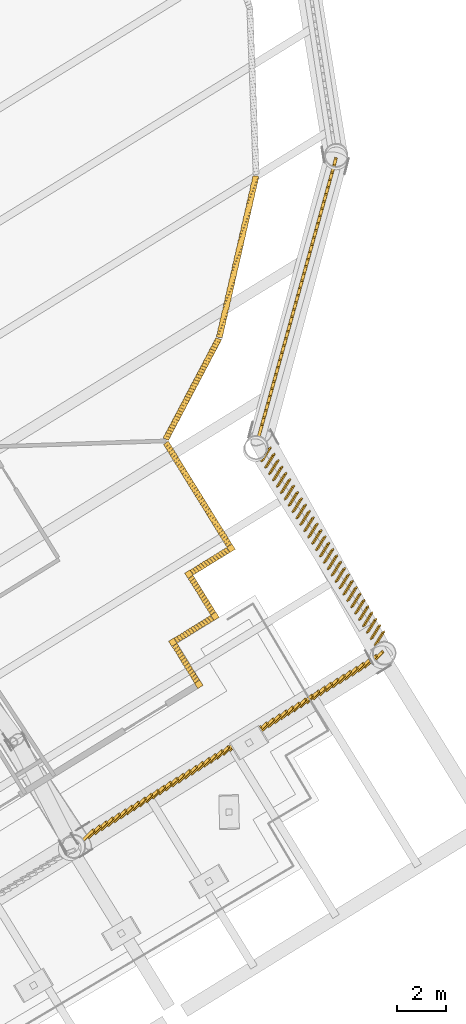
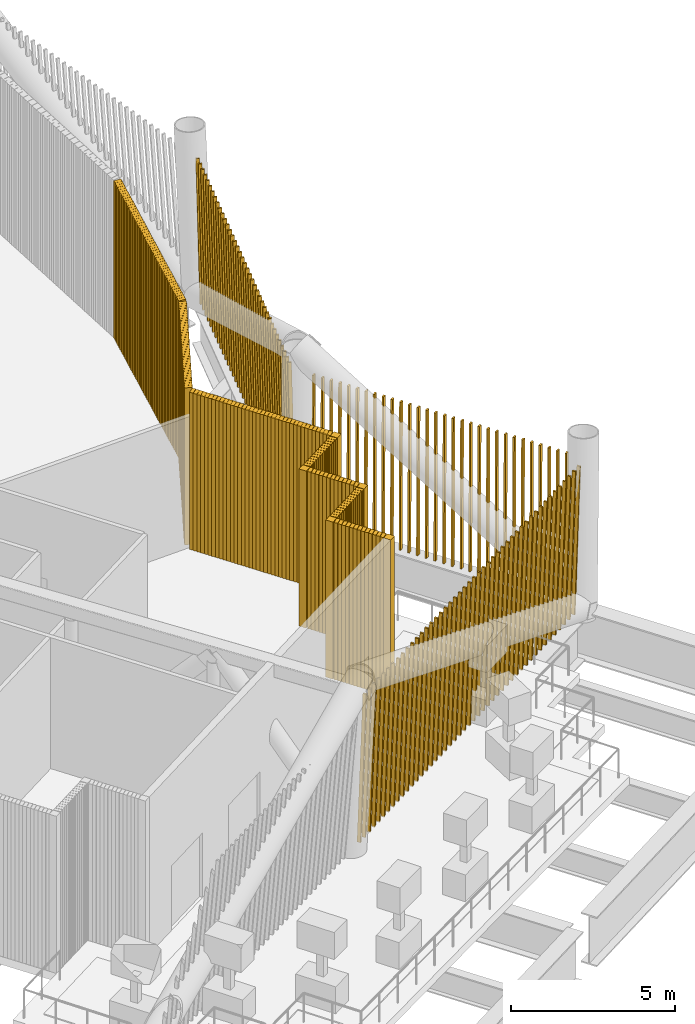
# One storey, part 37 of 40: 15 shading devices.
"""IFC4 building model written with IfcOpenShell, lengths in metres."""

from ifc_helpers import new_model, si_unit, direction, frame, frame_2d, origin, origin_2d, place, context, subcontext, project, spatial, rectangle, composite_profile, extrude, material, type_object, element, save


model = new_model("IFC4")

# Units and contexts
model_context = context("Model", 3, precision=1e-05, world=origin(), true_north=direction((0.0, 1.0)))
body_context = subcontext(model_context, "Body", "Model", "MODEL_VIEW")
ifc_project = project(units=[si_unit("LENGTHUNIT", "METRE"), si_unit("AREAUNIT", "SQUARE_METRE"), si_unit("VOLUMEUNIT", "CUBIC_METRE"), si_unit("PLANEANGLEUNIT", "RADIAN"), si_unit("MASSUNIT", "GRAM", prefix="KILO")], contexts=[model_context])

# Site, building, storey
site_placement = place(None, origin())
site = spatial("IfcSite", under=ifc_project, at=site_placement, CompositionType="ELEMENT")
building_placement = place(site_placement, origin())
building = spatial("IfcBuilding", under=site, at=building_placement, Name="Tarsis Ring Headquarters", CompositionType="ELEMENT")
storey_placement = place(building_placement, frame((0.0, 0.0, 354.800048828125)))
storey = spatial("IfcBuildingStorey", under=building, at=storey_placement, Name="L84", CompositionType="ELEMENT", Elevation=354.800048828125)

# Shading devices
ifc_material_1 = material(Name="Aluminium louvre", Category="aluminium")
shading_device_type_1 = type_object("IfcShadingDeviceType", Name="Plant louvre fin", PredefinedType="USERDEFINED", material=ifc_material_1)
for number, where, z_axis, x_axis, name in (
    (1, (23.3759765625, -22.88330078125, 0.0), (0.0, 0.0, 1.0), (-0.525251116071, 0.851004464286, 0.0), "Louvre L84-12"),
    (2, (22.49755859375, -21.22216796875, 0.0), (0.0, 0.0, 1.0), (0.851004464286, 0.525251116071, 0.0), "Louvre L84-13"),
    (3, (24.027587890625, -20.131103515625, 0.0), (0.0, 0.0, 1.0), (-0.525251116071, 0.851004464286, 0.0), "Louvre L84-14"),
    (4, (23.149169921875, -18.4697265625, 0.0), (0.0, 0.0, 1.0), (0.851004464286, 0.525111607143, 0.0), "Louvre L84-15"),
):
    element("IfcShadingDevice", number, at=place(storey_placement, frame(where, z_axis=z_axis, x_axis=x_axis)), inside=storey, type_object=shading_device_type_1, Name=name, ObjectType="Louvre", PredefinedType="USERDEFINED", context=body_context, shape_type="SweptSolid", body=[
        extrude(composite_profile([rectangle(XDim=0.1201171875, YDim=0.239990234375, at=frame_2d((0.078125, 0.0), x_axis=(0.987688340595, 0.15643446504))), rectangle(XDim=0.1201171875, YDim=0.239990234375, at=frame_2d((0.2109375, 0.0), x_axis=(0.987688340595, 0.15643446504))), rectangle(XDim=0.1201171875, YDim=0.239990234375, at=frame_2d((0.34375, 0.0), x_axis=(0.987688340595, 0.15643446504))), rectangle(XDim=0.1201171875, YDim=0.239990234375, at=frame_2d((0.4765625, 0.0), x_axis=(0.987688340595, 0.15643446504))), rectangle(XDim=0.1201171875, YDim=0.239990234375, at=frame_2d((0.609375, 0.0), x_axis=(0.987688340595, 0.15643446504))), rectangle(XDim=0.1201171875, YDim=0.239990234375, at=frame_2d((0.7421875, 0.0), x_axis=(0.987688340595, 0.15643446504))), rectangle(XDim=0.1201171875, YDim=0.239990234375, at=frame_2d((0.875, 0.0), x_axis=(0.987688340595, 0.15643446504))), rectangle(XDim=0.1201171875, YDim=0.239990234375, at=frame_2d((1.0078125, 0.0), x_axis=(0.987688340595, 0.15643446504))), rectangle(XDim=0.1201171875, YDim=0.239990234375, at=frame_2d((1.140625, 0.0), x_axis=(0.987688340595, 0.15643446504))), rectangle(XDim=0.1201171875, YDim=0.239990234375, at=frame_2d((1.2734375, 0.0), x_axis=(0.987688340595, 0.15643446504))), rectangle(XDim=0.1201171875, YDim=0.239990234375, at=frame_2d((1.40625, 0.0), x_axis=(0.987688340595, 0.15643446504))), rectangle(XDim=0.1201171875, YDim=0.239990234375, at=frame_2d((1.5390625, 0.0), x_axis=(0.987688340595, 0.15643446504))), rectangle(XDim=0.1201171875, YDim=0.239990234375, at=frame_2d((1.671875, 0.0), x_axis=(0.987688340595, 0.15643446504)))]), origin(), (0.0, 0.0, 1.0), 5.83984375),
    ])
shading_device_1_placement = place(storey_placement, frame((24.67919921875, -17.378662109375, 0.0), z_axis=(0.0, 0.0, 1.0), x_axis=(-0.525180572852, 0.85100871731, 0.0)))
element("IfcShadingDevice", 5, at=shading_device_1_placement, inside=storey, type_object=shading_device_type_1, Name="Louvre L84-16", ObjectType="Louvre", PredefinedType="USERDEFINED", context=body_context, shape_type="SweptSolid", body=[
    extrude(composite_profile([rectangle(XDim=0.1201171875, YDim=0.239990234375, at=frame_2d((0.076171875, 0.0), x_axis=(0.990268068742, 0.13917310096))), rectangle(XDim=0.1201171875, YDim=0.239990234375, at=frame_2d((0.20458984375, 0.0), x_axis=(0.990268068742, 0.13917310096))), rectangle(XDim=0.1201171875, YDim=0.239990234375, at=frame_2d((0.332763671875, 0.0), x_axis=(0.990268068742, 0.13917310096))), rectangle(XDim=0.1201171875, YDim=0.239990234375, at=frame_2d((0.461181640625, 0.0), x_axis=(0.990268068742, 0.13917310096))), rectangle(XDim=0.1201171875, YDim=0.239990234375, at=frame_2d((0.589599609375, 0.0), x_axis=(0.990268068742, 0.13917310096))), rectangle(XDim=0.1201171875, YDim=0.239990234375, at=frame_2d((0.718017578125, 0.0), x_axis=(0.990268068742, 0.13917310096))), rectangle(XDim=0.1201171875, YDim=0.239990234375, at=frame_2d((0.84619140625, 0.0), x_axis=(0.990268068742, 0.13917310096))), rectangle(XDim=0.1201171875, YDim=0.239990234375, at=frame_2d((0.974609375, 0.0), x_axis=(0.990268068742, 0.13917310096))), rectangle(XDim=0.1201171875, YDim=0.239990234375, at=frame_2d((1.10302734375, 0.0), x_axis=(0.990268068742, 0.13917310096))), rectangle(XDim=0.1201171875, YDim=0.239990234375, at=frame_2d((1.231201171875, 0.0), x_axis=(0.990268068742, 0.13917310096))), rectangle(XDim=0.1201171875, YDim=0.239990234375, at=frame_2d((1.359619140625, 0.0), x_axis=(0.990268068742, 0.13917310096))), rectangle(XDim=0.1201171875, YDim=0.239990234375, at=frame_2d((1.488037109375, 0.0), x_axis=(0.990268068742, 0.13917310096))), rectangle(XDim=0.1201171875, YDim=0.239990234375, at=frame_2d((1.6162109375, 0.0), x_axis=(0.990268068742, 0.13917310096))), rectangle(XDim=0.1201171875, YDim=0.239990234375, at=frame_2d((1.74462890625, 0.0), x_axis=(0.990268068742, 0.13917310096))), rectangle(XDim=0.1201171875, YDim=0.239990234375, at=frame_2d((1.873046875, 0.0), x_axis=(0.990268068742, 0.13917310096))), rectangle(XDim=0.1201171875, YDim=0.239990234375, at=frame_2d((2.00146484375, 0.0), x_axis=(0.990268068742, 0.13917310096))), rectangle(XDim=0.1201171875, YDim=0.239990234375, at=frame_2d((2.129638671875, 0.0), x_axis=(0.990268068742, 0.13917310096))), rectangle(XDim=0.1201171875, YDim=0.239990234375, at=frame_2d((2.258056640625, 0.0), x_axis=(0.990268068742, 0.13917310096))), rectangle(XDim=0.1201171875, YDim=0.239990234375, at=frame_2d((2.386474609375, 0.0), x_axis=(0.990268068742, 0.13917310096))), rectangle(XDim=0.1201171875, YDim=0.239990234375, at=frame_2d((2.5146484375, 0.0), x_axis=(0.990268068742, 0.13917310096))), rectangle(XDim=0.1201171875, YDim=0.239990234375, at=frame_2d((2.64306640625, 0.0), x_axis=(0.990268068742, 0.13917310096))), rectangle(XDim=0.1201171875, YDim=0.239990234375, at=frame_2d((2.771484375, 0.0), x_axis=(0.990268068742, 0.13917310096))), rectangle(XDim=0.1201171875, YDim=0.239990234375, at=frame_2d((2.899658203125, 0.0), x_axis=(0.990268068742, 0.13917310096))), rectangle(XDim=0.1201171875, YDim=0.239990234375, at=frame_2d((3.028076171875, 0.0), x_axis=(0.990268068742, 0.13917310096))), rectangle(XDim=0.1201171875, YDim=0.239990234375, at=frame_2d((3.156494140625, 0.0), x_axis=(0.990268068742, 0.13917310096))), rectangle(XDim=0.1201171875, YDim=0.239990234375, at=frame_2d((3.284912109375, 0.0), x_axis=(0.990268068742, 0.13917310096))), rectangle(XDim=0.1201171875, YDim=0.239990234375, at=frame_2d((3.4130859375, 0.0), x_axis=(0.990268068742, 0.13917310096))), rectangle(XDim=0.1201171875, YDim=0.239990234375, at=frame_2d((3.54150390625, 0.0), x_axis=(0.990268068742, 0.13917310096))), rectangle(XDim=0.1201171875, YDim=0.239990234375, at=frame_2d((3.669921875, 0.0), x_axis=(0.990268068742, 0.13917310096))), rectangle(XDim=0.1201171875, YDim=0.239990234375, at=frame_2d((3.798095703125, 0.0), x_axis=(0.990268068742, 0.13917310096))), rectangle(XDim=0.1201171875, YDim=0.239990234375, at=frame_2d((3.926513671875, 0.0), x_axis=(0.990268068742, 0.13917310096))), rectangle(XDim=0.1201171875, YDim=0.239990234375, at=frame_2d((4.054931640625, 0.0), x_axis=(0.990268068742, 0.13917310096))), rectangle(XDim=0.1201171875, YDim=0.239990234375, at=frame_2d((4.18310546875, 0.0), x_axis=(0.990268068742, 0.13917310096))), rectangle(XDim=0.1201171875, YDim=0.239990234375, at=frame_2d((4.3115234375, 0.0), x_axis=(0.990268068742, 0.13917310096))), rectangle(XDim=0.1201171875, YDim=0.239990234375, at=frame_2d((4.43994140625, 0.0), x_axis=(0.990268068742, 0.13917310096))), rectangle(XDim=0.1201171875, YDim=0.239990234375, at=frame_2d((4.568359375, 0.0), x_axis=(0.990268068742, 0.13917310096))), rectangle(XDim=0.1201171875, YDim=0.239990234375, at=frame_2d((4.696533203125, 0.0), x_axis=(0.990268068742, 0.13917310096))), rectangle(XDim=0.1201171875, YDim=0.239990234375, at=frame_2d((4.824951171875, 0.0), x_axis=(0.990268068742, 0.13917310096)))]), origin(), (0.0, 0.0, 1.0), 5.83984375),
])
shading_device_2_placement = place(storey_placement, frame((22.100830078125, -13.083740234375, 0.0), z_axis=(0.0, 0.0, 1.0), x_axis=(0.466719534761, 0.884430346286, 0.0)))
element("IfcShadingDevice", 6, at=shading_device_2_placement, inside=storey, type_object=shading_device_type_1, Name="Louvre L84-17", ObjectType="Louvre", PredefinedType="USERDEFINED", context=body_context, shape_type="SweptSolid", body=[
    extrude(composite_profile([rectangle(XDim=0.1201171875, YDim=0.239990234375, at=frame_2d((0.076171875, 0.0), x_axis=(0.990268068742, 0.13917310096))), rectangle(XDim=0.1201171875, YDim=0.239990234375, at=frame_2d((0.203857421875, 0.0), x_axis=(0.990268068742, 0.13917310096))), rectangle(XDim=0.1201171875, YDim=0.239990234375, at=frame_2d((0.331298828125, 0.0), x_axis=(0.990268068742, 0.13917310096))), rectangle(XDim=0.1201171875, YDim=0.239990234375, at=frame_2d((0.458984375, 0.0), x_axis=(0.990268068742, 0.13917310096))), rectangle(XDim=0.1201171875, YDim=0.239990234375, at=frame_2d((0.58642578125, 0.0), x_axis=(0.990268068742, 0.13917310096))), rectangle(XDim=0.1201171875, YDim=0.239990234375, at=frame_2d((0.714111328125, 0.0), x_axis=(0.990268068742, 0.13917310096))), rectangle(XDim=0.1201171875, YDim=0.239990234375, at=frame_2d((0.841796875, 0.0), x_axis=(0.990268068742, 0.13917310096))), rectangle(XDim=0.1201171875, YDim=0.239990234375, at=frame_2d((0.96923828125, 0.0), x_axis=(0.990268068742, 0.13917310096))), rectangle(XDim=0.1201171875, YDim=0.239990234375, at=frame_2d((1.096923828125, 0.0), x_axis=(0.990268068742, 0.13917310096))), rectangle(XDim=0.1201171875, YDim=0.239990234375, at=frame_2d((1.224365234375, 0.0), x_axis=(0.990268068742, 0.13917310096))), rectangle(XDim=0.1201171875, YDim=0.239990234375, at=frame_2d((1.35205078125, 0.0), x_axis=(0.990268068742, 0.13917310096))), rectangle(XDim=0.1201171875, YDim=0.239990234375, at=frame_2d((1.479736328125, 0.0), x_axis=(0.990268068742, 0.13917310096))), rectangle(XDim=0.1201171875, YDim=0.239990234375, at=frame_2d((1.607177734375, 0.0), x_axis=(0.990268068742, 0.13917310096))), rectangle(XDim=0.1201171875, YDim=0.239990234375, at=frame_2d((1.73486328125, 0.0), x_axis=(0.990268068742, 0.13917310096))), rectangle(XDim=0.1201171875, YDim=0.239990234375, at=frame_2d((1.8623046875, 0.0), x_axis=(0.990268068742, 0.13917310096))), rectangle(XDim=0.1201171875, YDim=0.239990234375, at=frame_2d((1.989990234375, 0.0), x_axis=(0.990268068742, 0.13917310096))), rectangle(XDim=0.1201171875, YDim=0.239990234375, at=frame_2d((2.11767578125, 0.0), x_axis=(0.990268068742, 0.13917310096))), rectangle(XDim=0.1201171875, YDim=0.239990234375, at=frame_2d((2.2451171875, 0.0), x_axis=(0.990268068742, 0.13917310096))), rectangle(XDim=0.1201171875, YDim=0.239990234375, at=frame_2d((2.372802734375, 0.0), x_axis=(0.990268068742, 0.13917310096))), rectangle(XDim=0.1201171875, YDim=0.239990234375, at=frame_2d((2.500244140625, 0.0), x_axis=(0.990268068742, 0.13917310096))), rectangle(XDim=0.1201171875, YDim=0.239990234375, at=frame_2d((2.6279296875, 0.0), x_axis=(0.990268068742, 0.13917310096))), rectangle(XDim=0.1201171875, YDim=0.239990234375, at=frame_2d((2.755615234375, 0.0), x_axis=(0.990268068742, 0.13917310096))), rectangle(XDim=0.1201171875, YDim=0.239990234375, at=frame_2d((2.883056640625, 0.0), x_axis=(0.990268068742, 0.13917310096))), rectangle(XDim=0.1201171875, YDim=0.239990234375, at=frame_2d((3.0107421875, 0.0), x_axis=(0.990268068742, 0.13917310096))), rectangle(XDim=0.1201171875, YDim=0.239990234375, at=frame_2d((3.13818359375, 0.0), x_axis=(0.990268068742, 0.13917310096))), rectangle(XDim=0.1201171875, YDim=0.239990234375, at=frame_2d((3.265869140625, 0.0), x_axis=(0.990268068742, 0.13917310096))), rectangle(XDim=0.1201171875, YDim=0.239990234375, at=frame_2d((3.3935546875, 0.0), x_axis=(0.990268068742, 0.13917310096))), rectangle(XDim=0.1201171875, YDim=0.239990234375, at=frame_2d((3.52099609375, 0.0), x_axis=(0.990268068742, 0.13917310096))), rectangle(XDim=0.1201171875, YDim=0.239990234375, at=frame_2d((3.648681640625, 0.0), x_axis=(0.990268068742, 0.13917310096))), rectangle(XDim=0.1201171875, YDim=0.239990234375, at=frame_2d((3.776123046875, 0.0), x_axis=(0.990268068742, 0.13917310096))), rectangle(XDim=0.1201171875, YDim=0.239990234375, at=frame_2d((3.90380859375, 0.0), x_axis=(0.990268068742, 0.13917310096))), rectangle(XDim=0.1201171875, YDim=0.239990234375, at=frame_2d((4.031494140625, 0.0), x_axis=(0.990268068742, 0.13917310096))), rectangle(XDim=0.1201171875, YDim=0.239990234375, at=frame_2d((4.158935546875, 0.0), x_axis=(0.990268068742, 0.13917310096))), rectangle(XDim=0.1201171875, YDim=0.239990234375, at=frame_2d((4.28662109375, 0.0), x_axis=(0.990268068742, 0.13917310096))), rectangle(XDim=0.1201171875, YDim=0.239990234375, at=frame_2d((4.4140625, 0.0), x_axis=(0.990268068742, 0.13917310096))), rectangle(XDim=0.1201171875, YDim=0.239990234375, at=frame_2d((4.541748046875, 0.0), x_axis=(0.990268068742, 0.13917310096)))]), origin(), (0.0, 0.0, 1.0), 5.83984375),
])
shading_device_3_placement = place(storey_placement, frame((24.267333984375, -8.968994140625, 0.0), z_axis=(0.0, 0.0, 1.0), x_axis=(0.221895318005, 0.975082634122, 0.0)))
element("IfcShadingDevice", 7, at=shading_device_3_placement, inside=storey, type_object=shading_device_type_1, Name="Louvre L84-18", ObjectType="Louvre", PredefinedType="USERDEFINED", context=body_context, shape_type="SweptSolid", body=[
    extrude(composite_profile([rectangle(XDim=0.1201171875, YDim=0.239990234375, at=frame_2d((0.076171875, 0.0), x_axis=(0.990268068742, 0.13917310096))), rectangle(XDim=0.1201171875, YDim=0.239990234375, at=frame_2d((0.202392578125, 0.0), x_axis=(0.990268068742, 0.13917310096))), rectangle(XDim=0.1201171875, YDim=0.239990234375, at=frame_2d((0.328857421875, 0.0), x_axis=(0.990268068742, 0.13917310096))), rectangle(XDim=0.1201171875, YDim=0.239990234375, at=frame_2d((0.455078125, 0.0), x_axis=(0.990268068742, 0.13917310096))), rectangle(XDim=0.1201171875, YDim=0.239990234375, at=frame_2d((0.58154296875, 0.0), x_axis=(0.990268068742, 0.13917310096))), rectangle(XDim=0.1201171875, YDim=0.239990234375, at=frame_2d((0.707763671875, 0.0), x_axis=(0.990268068742, 0.13917310096))), rectangle(XDim=0.1201171875, YDim=0.239990234375, at=frame_2d((0.834228515625, 0.0), x_axis=(0.990268068742, 0.13917310096))), rectangle(XDim=0.1201171875, YDim=0.239990234375, at=frame_2d((0.96044921875, 0.0), x_axis=(0.990268068742, 0.13917310096))), rectangle(XDim=0.1201171875, YDim=0.239990234375, at=frame_2d((1.0869140625, 0.0), x_axis=(0.990268068742, 0.13917310096))), rectangle(XDim=0.1201171875, YDim=0.239990234375, at=frame_2d((1.213134765625, 0.0), x_axis=(0.990268068742, 0.13917310096))), rectangle(XDim=0.1201171875, YDim=0.239990234375, at=frame_2d((1.33935546875, 0.0), x_axis=(0.990268068742, 0.13917310096))), rectangle(XDim=0.1201171875, YDim=0.239990234375, at=frame_2d((1.4658203125, 0.0), x_axis=(0.990268068742, 0.13917310096))), rectangle(XDim=0.1201171875, YDim=0.239990234375, at=frame_2d((1.592041015625, 0.0), x_axis=(0.990268068742, 0.13917310096))), rectangle(XDim=0.1201171875, YDim=0.239990234375, at=frame_2d((1.718505859375, 0.0), x_axis=(0.990268068742, 0.13917310096))), rectangle(XDim=0.1201171875, YDim=0.239990234375, at=frame_2d((1.8447265625, 0.0), x_axis=(0.990268068742, 0.13917310096))), rectangle(XDim=0.1201171875, YDim=0.239990234375, at=frame_2d((1.97119140625, 0.0), x_axis=(0.990268068742, 0.13917310096))), rectangle(XDim=0.1201171875, YDim=0.239990234375, at=frame_2d((2.097412109375, 0.0), x_axis=(0.990268068742, 0.13917310096))), rectangle(XDim=0.1201171875, YDim=0.239990234375, at=frame_2d((2.223876953125, 0.0), x_axis=(0.990268068742, 0.13917310096))), rectangle(XDim=0.1201171875, YDim=0.239990234375, at=frame_2d((2.35009765625, 0.0), x_axis=(0.990268068742, 0.13917310096))), rectangle(XDim=0.1201171875, YDim=0.239990234375, at=frame_2d((2.476318359375, 0.0), x_axis=(0.990268068742, 0.13917310096))), rectangle(XDim=0.1201171875, YDim=0.239990234375, at=frame_2d((2.602783203125, 0.0), x_axis=(0.990268068742, 0.13917310096))), rectangle(XDim=0.1201171875, YDim=0.239990234375, at=frame_2d((2.72900390625, 0.0), x_axis=(0.990268068742, 0.13917310096))), rectangle(XDim=0.1201171875, YDim=0.239990234375, at=frame_2d((2.85546875, 0.0), x_axis=(0.990268068742, 0.13917310096))), rectangle(XDim=0.1201171875, YDim=0.239990234375, at=frame_2d((2.981689453125, 0.0), x_axis=(0.990268068742, 0.13917310096))), rectangle(XDim=0.1201171875, YDim=0.239990234375, at=frame_2d((3.108154296875, 0.0), x_axis=(0.990268068742, 0.13917310096))), rectangle(XDim=0.1201171875, YDim=0.239990234375, at=frame_2d((3.234375, 0.0), x_axis=(0.990268068742, 0.13917310096))), rectangle(XDim=0.1201171875, YDim=0.239990234375, at=frame_2d((3.36083984375, 0.0), x_axis=(0.990268068742, 0.13917310096))), rectangle(XDim=0.1201171875, YDim=0.239990234375, at=frame_2d((3.487060546875, 0.0), x_axis=(0.990268068742, 0.13917310096))), rectangle(XDim=0.1201171875, YDim=0.239990234375, at=frame_2d((3.61328125, 0.0), x_axis=(0.990268068742, 0.13917310096))), rectangle(XDim=0.1201171875, YDim=0.239990234375, at=frame_2d((3.73974609375, 0.0), x_axis=(0.990268068742, 0.13917310096))), rectangle(XDim=0.1201171875, YDim=0.239990234375, at=frame_2d((3.865966796875, 0.0), x_axis=(0.990268068742, 0.13917310096))), rectangle(XDim=0.1201171875, YDim=0.239990234375, at=frame_2d((3.992431640625, 0.0), x_axis=(0.990268068742, 0.13917310096))), rectangle(XDim=0.1201171875, YDim=0.239990234375, at=frame_2d((4.11865234375, 0.0), x_axis=(0.990268068742, 0.13917310096))), rectangle(XDim=0.1201171875, YDim=0.239990234375, at=frame_2d((4.2451171875, 0.0), x_axis=(0.990268068742, 0.13917310096))), rectangle(XDim=0.1201171875, YDim=0.239990234375, at=frame_2d((4.371337890625, 0.0), x_axis=(0.990268068742, 0.13917310096))), rectangle(XDim=0.1201171875, YDim=0.239990234375, at=frame_2d((4.49755859375, 0.0), x_axis=(0.990268068742, 0.13917310096))), rectangle(XDim=0.1201171875, YDim=0.239990234375, at=frame_2d((4.6240234375, 0.0), x_axis=(0.990268068742, 0.13917310096))), rectangle(XDim=0.1201171875, YDim=0.239990234375, at=frame_2d((4.750244140625, 0.0), x_axis=(0.990268068742, 0.13917310096))), rectangle(XDim=0.1201171875, YDim=0.239990234375, at=frame_2d((4.876708984375, 0.0), x_axis=(0.990268068742, 0.13917310096))), rectangle(XDim=0.1201171875, YDim=0.239990234375, at=frame_2d((5.0029296875, 0.0), x_axis=(0.990268068742, 0.13917310096))), rectangle(XDim=0.1201171875, YDim=0.239990234375, at=frame_2d((5.12939453125, 0.0), x_axis=(0.990268068742, 0.13917310096))), rectangle(XDim=0.1201171875, YDim=0.239990234375, at=frame_2d((5.255615234375, 0.0), x_axis=(0.990268068742, 0.13917310096))), rectangle(XDim=0.1201171875, YDim=0.239990234375, at=frame_2d((5.382080078125, 0.0), x_axis=(0.990268068742, 0.13917310096))), rectangle(XDim=0.1201171875, YDim=0.239990234375, at=frame_2d((5.50830078125, 0.0), x_axis=(0.990268068742, 0.13917310096))), rectangle(XDim=0.1201171875, YDim=0.239990234375, at=frame_2d((5.634521484375, 0.0), x_axis=(0.990268068742, 0.13917310096))), rectangle(XDim=0.1201171875, YDim=0.239990234375, at=frame_2d((5.760986328125, 0.0), x_axis=(0.990268068742, 0.13917310096))), rectangle(XDim=0.1201171875, YDim=0.239990234375, at=frame_2d((5.88720703125, 0.0), x_axis=(0.990268068742, 0.13917310096))), rectangle(XDim=0.1201171875, YDim=0.239990234375, at=frame_2d((6.013671875, 0.0), x_axis=(0.990268068742, 0.13917310096))), rectangle(XDim=0.1201171875, YDim=0.239990234375, at=frame_2d((6.139892578125, 0.0), x_axis=(0.990268068742, 0.13917310096))), rectangle(XDim=0.1201171875, YDim=0.239990234375, at=frame_2d((6.266357421875, 0.0), x_axis=(0.990268068742, 0.13917310096))), rectangle(XDim=0.1201171875, YDim=0.239990234375, at=frame_2d((6.392578125, 0.0), x_axis=(0.990268068742, 0.13917310096))), rectangle(XDim=0.1201171875, YDim=0.239990234375, at=frame_2d((6.51904296875, 0.0), x_axis=(0.990268068742, 0.13917310096))), rectangle(XDim=0.1201171875, YDim=0.239990234375, at=frame_2d((6.645263671875, 0.0), x_axis=(0.990268068742, 0.13917310096)))]), origin(), (0.0, 0.0, 1.0), 5.83984375),
])
ifc_material_2 = material(Name="Terracotta baguette", Category="masonry")
shading_device_type_2 = type_object("IfcShadingDeviceType", Name="Terracotta baguette screen", PredefinedType="USERDEFINED", material=ifc_material_2)
shading_device_4_placement = place(storey_placement, frame((18.70166015625, -29.35205078125, 0.0), z_axis=(0.0, 0.0, 1.0), x_axis=(0.850986289253, 0.525183547103, 0.0)))
element("IfcShadingDevice", 8, at=shading_device_4_placement, inside=storey, type_object=shading_device_type_2, Name="Baguette screen L84-03", ObjectType="Terracotta baguette screen", PredefinedType="USERDEFINED", context=body_context, shape_type="SweptSolid", body=[
    extrude(composite_profile([rectangle(XDim=0.06005859375, YDim=0.1201171875, at=frame_2d((0.030029296875, 0.0))), rectangle(XDim=0.06005859375, YDim=0.1201171875, at=frame_2d((0.33544921875, 0.0))), rectangle(XDim=0.06005859375, YDim=0.1201171875, at=frame_2d((0.640625, 0.0))), rectangle(XDim=0.06005859375, YDim=0.1201171875, at=frame_2d((0.946044921875, 0.0))), rectangle(XDim=0.06005859375, YDim=0.1201171875, at=frame_2d((1.25146484375, 0.0))), rectangle(XDim=0.06005859375, YDim=0.1201171875, at=frame_2d((1.556640625, 0.0))), rectangle(XDim=0.06005859375, YDim=0.1201171875, at=frame_2d((1.862060546875, 0.0))), rectangle(XDim=0.06005859375, YDim=0.1201171875, at=frame_2d((2.16748046875, 0.0))), rectangle(XDim=0.06005859375, YDim=0.1201171875, at=frame_2d((2.47265625, 0.0))), rectangle(XDim=0.06005859375, YDim=0.1201171875, at=frame_2d((2.778076171875, 0.0))), rectangle(XDim=0.06005859375, YDim=0.1201171875, at=frame_2d((3.08349609375, 0.0))), rectangle(XDim=0.06005859375, YDim=0.1201171875, at=frame_2d((3.388671875, 0.0))), rectangle(XDim=0.06005859375, YDim=0.1201171875, at=frame_2d((3.694091796875, 0.0))), rectangle(XDim=0.06005859375, YDim=0.1201171875, at=frame_2d((3.99951171875, 0.0))), rectangle(XDim=0.06005859375, YDim=0.1201171875, at=frame_2d((4.3046875, 0.0))), rectangle(XDim=0.06005859375, YDim=0.1201171875, at=frame_2d((4.610107421875, 0.0))), rectangle(XDim=0.06005859375, YDim=0.1201171875, at=frame_2d((4.91552734375, 0.0))), rectangle(XDim=0.06005859375, YDim=0.1201171875, at=frame_2d((5.220703125, 0.0))), rectangle(XDim=0.06005859375, YDim=0.1201171875, at=frame_2d((5.526123046875, 0.0))), rectangle(XDim=0.06005859375, YDim=0.1201171875, at=frame_2d((5.83154296875, 0.0))), rectangle(XDim=0.06005859375, YDim=0.1201171875, at=frame_2d((6.13671875, 0.0))), rectangle(XDim=0.06005859375, YDim=0.1201171875, at=frame_2d((6.442138671875, 0.0))), rectangle(XDim=0.06005859375, YDim=0.1201171875, at=frame_2d((6.74755859375, 0.0))), rectangle(XDim=0.06005859375, YDim=0.1201171875, at=frame_2d((7.052734375, 0.0))), rectangle(XDim=0.06005859375, YDim=0.1201171875, at=frame_2d((7.358154296875, 0.0))), rectangle(XDim=0.06005859375, YDim=0.1201171875, at=frame_2d((7.66357421875, 0.0))), rectangle(XDim=0.06005859375, YDim=0.1201171875, at=frame_2d((7.96875, 0.0))), rectangle(XDim=0.06005859375, YDim=0.1201171875, at=frame_2d((8.274169921875, 0.0))), rectangle(XDim=0.06005859375, YDim=0.1201171875, at=frame_2d((8.57958984375, 0.0))), rectangle(XDim=0.06005859375, YDim=0.1201171875, at=frame_2d((8.884765625, 0.0))), rectangle(XDim=0.06005859375, YDim=0.1201171875, at=frame_2d((9.190185546875, 0.0))), rectangle(XDim=0.06005859375, YDim=0.1201171875, at=frame_2d((9.49560546875, 0.0))), rectangle(XDim=0.06005859375, YDim=0.1201171875, at=frame_2d((9.80078125, 0.0))), rectangle(XDim=0.06005859375, YDim=0.1201171875, at=frame_2d((10.106201171875, 0.0))), rectangle(XDim=0.06005859375, YDim=0.1201171875, at=frame_2d((10.41162109375, 0.0))), rectangle(XDim=0.06005859375, YDim=0.1201171875, at=frame_2d((10.716796875, 0.0))), rectangle(XDim=0.06005859375, YDim=0.1201171875, at=frame_2d((11.022216796875, 0.0))), rectangle(XDim=0.06005859375, YDim=0.1201171875, at=frame_2d((11.32763671875, 0.0))), rectangle(XDim=0.06005859375, YDim=0.1201171875, at=frame_2d((11.6328125, 0.0))), rectangle(XDim=0.06005859375, YDim=0.1201171875, at=frame_2d((11.938232421875, 0.0))), rectangle(XDim=0.06005859375, YDim=0.1201171875, at=frame_2d((12.24365234375, 0.0))), rectangle(XDim=0.06005859375, YDim=0.1201171875, at=frame_2d((12.548828125, 0.0))), rectangle(XDim=0.06005859375, YDim=0.1201171875, at=frame_2d((12.854248046875, 0.0))), rectangle(XDim=0.06005859375, YDim=0.1201171875, at=frame_2d((13.15966796875, 0.0))), rectangle(XDim=0.06005859375, YDim=0.1201171875, at=frame_2d((13.46484375, 0.0))), rectangle(XDim=0.06005859375, YDim=0.1201171875, at=frame_2d((13.770263671875, 0.0)))]), origin(), (0.123093473424, 0.027343510708, 0.992018310931), 5.121337890625),
])
shading_device_5_placement = place(storey_placement, frame((30.608154296875, -21.41650390625, 0.0), z_axis=(0.0, 0.0, 1.0), x_axis=(-0.525178858632, 0.851006599745, 0.0)))
element("IfcShadingDevice", 9, at=shading_device_5_placement, inside=storey, type_object=shading_device_type_2, Name="Baguette screen L84-04", ObjectType="Terracotta baguette screen", PredefinedType="USERDEFINED", context=body_context, shape_type="SweptSolid", body=[
    extrude(composite_profile([rectangle(XDim=0.06005859375, YDim=0.1201171875, at=frame_2d((0.030029296875, 0.0))), rectangle(XDim=0.06005859375, YDim=0.1201171875, at=frame_2d((0.33154296875, 0.0))), rectangle(XDim=0.06005859375, YDim=0.1201171875, at=frame_2d((0.633056640625, 0.0))), rectangle(XDim=0.06005859375, YDim=0.1201171875, at=frame_2d((0.9345703125, 0.0))), rectangle(XDim=0.06005859375, YDim=0.1201171875, at=frame_2d((1.236083984375, 0.0))), rectangle(XDim=0.06005859375, YDim=0.1201171875, at=frame_2d((1.53759765625, 0.0))), rectangle(XDim=0.06005859375, YDim=0.1201171875, at=frame_2d((1.839111328125, 0.0))), rectangle(XDim=0.06005859375, YDim=0.1201171875, at=frame_2d((2.140625, 0.0))), rectangle(XDim=0.06005859375, YDim=0.1201171875, at=frame_2d((2.442138671875, 0.0))), rectangle(XDim=0.06005859375, YDim=0.1201171875, at=frame_2d((2.74365234375, 0.0))), rectangle(XDim=0.06005859375, YDim=0.1201171875, at=frame_2d((3.045166015625, 0.0))), rectangle(XDim=0.06005859375, YDim=0.1201171875, at=frame_2d((3.3466796875, 0.0))), rectangle(XDim=0.06005859375, YDim=0.1201171875, at=frame_2d((3.648193359375, 0.0))), rectangle(XDim=0.06005859375, YDim=0.1201171875, at=frame_2d((3.94970703125, 0.0))), rectangle(XDim=0.06005859375, YDim=0.1201171875, at=frame_2d((4.251220703125, 0.0))), rectangle(XDim=0.06005859375, YDim=0.1201171875, at=frame_2d((4.552978515625, 0.0))), rectangle(XDim=0.06005859375, YDim=0.1201171875, at=frame_2d((4.8544921875, 0.0))), rectangle(XDim=0.06005859375, YDim=0.1201171875, at=frame_2d((5.156005859375, 0.0))), rectangle(XDim=0.06005859375, YDim=0.1201171875, at=frame_2d((5.45751953125, 0.0))), rectangle(XDim=0.06005859375, YDim=0.1201171875, at=frame_2d((5.759033203125, 0.0))), rectangle(XDim=0.06005859375, YDim=0.1201171875, at=frame_2d((6.060546875, 0.0))), rectangle(XDim=0.06005859375, YDim=0.1201171875, at=frame_2d((6.362060546875, 0.0))), rectangle(XDim=0.06005859375, YDim=0.1201171875, at=frame_2d((6.66357421875, 0.0))), rectangle(XDim=0.06005859375, YDim=0.1201171875, at=frame_2d((6.965087890625, 0.0))), rectangle(XDim=0.06005859375, YDim=0.1201171875, at=frame_2d((7.2666015625, 0.0))), rectangle(XDim=0.06005859375, YDim=0.1201171875, at=frame_2d((7.568115234375, 0.0))), rectangle(XDim=0.06005859375, YDim=0.1201171875, at=frame_2d((7.86962890625, 0.0))), rectangle(XDim=0.06005859375, YDim=0.1201171875, at=frame_2d((8.171142578125, 0.0))), rectangle(XDim=0.06005859375, YDim=0.1201171875, at=frame_2d((8.47265625, 0.0))), rectangle(XDim=0.06005859375, YDim=0.1201171875, at=frame_2d((8.774169921875, 0.0)))]), origin(), (0.053465259766, -0.105584326702, 0.992972011666), 5.116455078125),
])
shading_device_6_placement = place(storey_placement, frame((25.85546875, -13.0166015625, 0.0), z_axis=(0.0, 0.0, 1.0), x_axis=(0.267563754748, 0.963537710255, 0.0)))
element("IfcShadingDevice", 10, at=shading_device_6_placement, inside=storey, type_object=shading_device_type_2, Name="Baguette screen L84-05", ObjectType="Terracotta baguette screen", PredefinedType="USERDEFINED", context=body_context, shape_type="SweptSolid", body=[
    extrude(composite_profile([rectangle(XDim=0.06005859375, YDim=0.1201171875, at=frame_2d((0.030029296875, 0.0))), rectangle(XDim=0.06005859375, YDim=0.1201171875, at=frame_2d((0.33251953125, 0.0))), rectangle(XDim=0.06005859375, YDim=0.1201171875, at=frame_2d((0.634765625, 0.0))), rectangle(XDim=0.06005859375, YDim=0.1201171875, at=frame_2d((0.937255859375, 0.0))), rectangle(XDim=0.06005859375, YDim=0.1201171875, at=frame_2d((1.239501953125, 0.0))), rectangle(XDim=0.06005859375, YDim=0.1201171875, at=frame_2d((1.5419921875, 0.0))), rectangle(XDim=0.06005859375, YDim=0.1201171875, at=frame_2d((1.844482421875, 0.0))), rectangle(XDim=0.06005859375, YDim=0.1201171875, at=frame_2d((2.146728515625, 0.0))), rectangle(XDim=0.06005859375, YDim=0.1201171875, at=frame_2d((2.44921875, 0.0))), rectangle(XDim=0.06005859375, YDim=0.1201171875, at=frame_2d((2.751708984375, 0.0))), rectangle(XDim=0.06005859375, YDim=0.1201171875, at=frame_2d((3.053955078125, 0.0))), rectangle(XDim=0.06005859375, YDim=0.1201171875, at=frame_2d((3.3564453125, 0.0))), rectangle(XDim=0.06005859375, YDim=0.1201171875, at=frame_2d((3.65869140625, 0.0))), rectangle(XDim=0.06005859375, YDim=0.1201171875, at=frame_2d((3.961181640625, 0.0))), rectangle(XDim=0.06005859375, YDim=0.1201171875, at=frame_2d((4.263671875, 0.0))), rectangle(XDim=0.06005859375, YDim=0.1201171875, at=frame_2d((4.56591796875, 0.0))), rectangle(XDim=0.06005859375, YDim=0.1201171875, at=frame_2d((4.868408203125, 0.0))), rectangle(XDim=0.06005859375, YDim=0.1201171875, at=frame_2d((5.1708984375, 0.0))), rectangle(XDim=0.06005859375, YDim=0.1201171875, at=frame_2d((5.47314453125, 0.0))), rectangle(XDim=0.06005859375, YDim=0.1201171875, at=frame_2d((5.775634765625, 0.0))), rectangle(XDim=0.06005859375, YDim=0.1201171875, at=frame_2d((6.077880859375, 0.0))), rectangle(XDim=0.06005859375, YDim=0.1201171875, at=frame_2d((6.38037109375, 0.0))), rectangle(XDim=0.06005859375, YDim=0.1201171875, at=frame_2d((6.682861328125, 0.0))), rectangle(XDim=0.06005859375, YDim=0.1201171875, at=frame_2d((6.985107421875, 0.0))), rectangle(XDim=0.06005859375, YDim=0.1201171875, at=frame_2d((7.28759765625, 0.0))), rectangle(XDim=0.06005859375, YDim=0.1201171875, at=frame_2d((7.590087890625, 0.0))), rectangle(XDim=0.06005859375, YDim=0.1201171875, at=frame_2d((7.892333984375, 0.0))), rectangle(XDim=0.06005859375, YDim=0.1201171875, at=frame_2d((8.19482421875, 0.0))), rectangle(XDim=0.06005859375, YDim=0.1201171875, at=frame_2d((8.4970703125, 0.0))), rectangle(XDim=0.06005859375, YDim=0.1201171875, at=frame_2d((8.799560546875, 0.0))), rectangle(XDim=0.06005859375, YDim=0.1201171875, at=frame_2d((9.10205078125, 0.0))), rectangle(XDim=0.06005859375, YDim=0.1201171875, at=frame_2d((9.404296875, 0.0))), rectangle(XDim=0.06005859375, YDim=0.1201171875, at=frame_2d((9.706787109375, 0.0))), rectangle(XDim=0.06005859375, YDim=0.1201171875, at=frame_2d((10.00927734375, 0.0))), rectangle(XDim=0.06005859375, YDim=0.1201171875, at=frame_2d((10.3115234375, 0.0))), rectangle(XDim=0.06005859375, YDim=0.1201171875, at=frame_2d((10.614013671875, 0.0))), rectangle(XDim=0.06005859375, YDim=0.1201171875, at=frame_2d((10.916259765625, 0.0))), rectangle(XDim=0.06005859375, YDim=0.1201171875, at=frame_2d((11.21875, 0.0)))]), origin(), (0.100925335692, 0.000917239245, 0.994893579881), 5.106689453125),
])
shading_device_type_3 = type_object("IfcShadingDeviceType", Name="Terracotta corner baguette 250x250", PredefinedType="USERDEFINED", material=ifc_material_2)
for number, where, z_axis, x_axis, name in (
    (11, (23.44140625, -22.98974609375, 0.0), (0.0, 0.0, 1.0), (0.850994490961, 0.525174615109, 0.0), "Corner baguette L84-12"),
    (12, (22.39111328125, -21.28759765625, 0.0), (0.0, 0.0, 1.0), (-0.525174882456, 0.850994325972, 0.0), "Corner baguette L84-13"),
    (13, (24.09326171875, -20.2373046875, 0.0), (0.0, 0.0, 1.0), (0.850994545957, 0.525174525993, 0.0), "Corner baguette L84-14"),
    (14, (23.042724609375, -18.535400390625, 0.0), (0.0, 0.0, 1.0), (-0.525174169529, 0.850994765941, 0.0), "Corner baguette L84-15"),
    (15, (24.744873046875, -17.485107421875, 0.0), (0.0, 0.0, 1.0), (0.850994545957, 0.525174525993, 0.0), "Corner baguette L84-16"),
):
    element("IfcShadingDevice", number, at=place(storey_placement, frame(where, z_axis=z_axis, x_axis=x_axis)), inside=storey, type_object=shading_device_type_3, Name=name, ObjectType="Terracotta corner baguette", PredefinedType="USERDEFINED", context=body_context, shape_type="SweptSolid", body=[
        extrude(rectangle(XDim=0.25, YDim=0.25, at=origin_2d()), origin(), (0.0, 0.0, 1.0), 5.840087890625),
    ])

save(model, "model.ifc")
